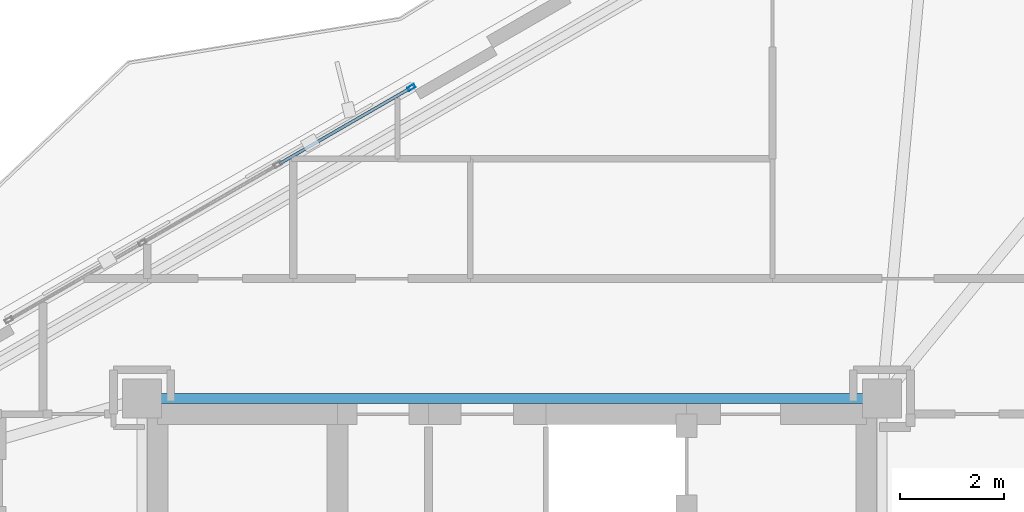
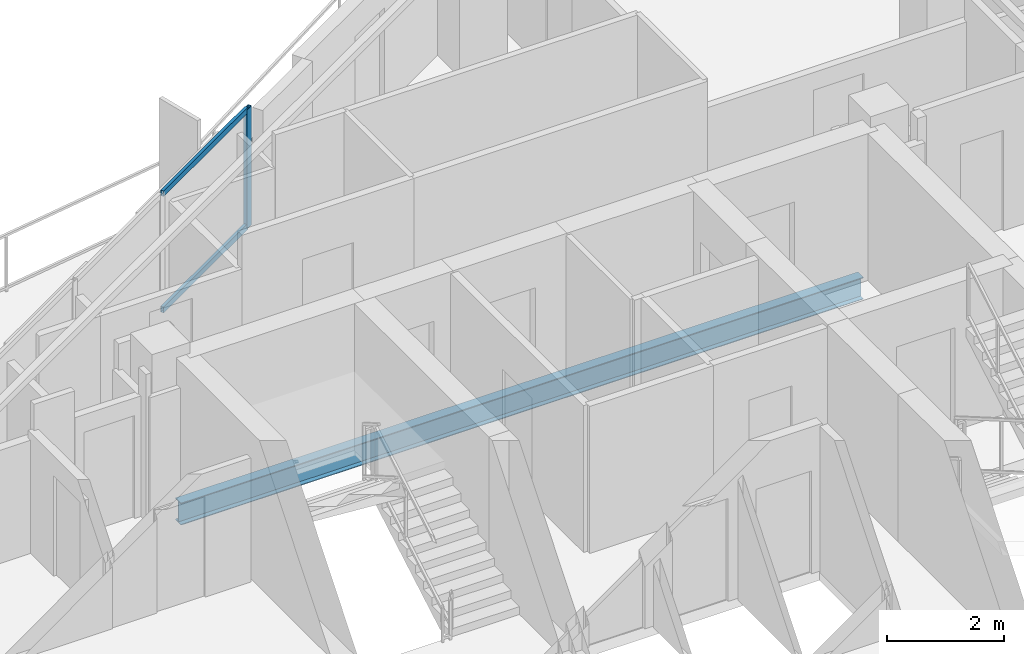
# One storey, part 14 of 21: 3 members, 1 beam, 1 element without a shape of its own.
"""IFC4 building model written with IfcOpenShell, lengths in metres."""

import ifcopenshell
import ifcopenshell.guid

model = None  # the IFC model being written
_history = None  # IfcOwnerHistory: only IFC2X3 demands one
_inside = {}  # id of a spatial element -> (the spatial element, [elements in it])
_under = {}  # id of a project, library or spatial element -> (it, [spatial elements below it])
_declared = {}  # id of a project -> (the project, [libraries it declares])
_typed = {}  # id of a type object -> (the type object, [elements of that type])
_made_of = {}  # id of a material, layer set ... -> (it, [elements and type objects made of it])


def new_model(schema):
    """Start an empty IFC model of exactly this schema.

    Asked for "IFC4X3", IfcOpenShell would pick the latest addendum, in which some entities
    have other attributes; the version numbers below select the first issue.
    IFC2X3 requires an IfcOwnerHistory on every rooted entity: one is made here for all.
    """
    global model, _history
    if schema == "IFC4X3":
        model = ifcopenshell.file(schema_version=(4, 3, 0, 0))
    else:
        model = ifcopenshell.file(schema=schema)
    _inside.clear()
    _under.clear()
    _declared.clear()
    _typed.clear()
    _made_of.clear()
    _history = None
    if model.schema == "IFC2X3":
        org = make("IfcOrganization", Name="unknown")
        user = make(
            "IfcPersonAndOrganization",
            ThePerson=make("IfcPerson", FamilyName="unknown"),
            TheOrganization=org,
        )
        app = make(
            "IfcApplication",
            ApplicationDeveloper=org,
            Version="unknown",
            ApplicationFullName="unknown",
            ApplicationIdentifier="unknown",
        )
        _history = make(
            "IfcOwnerHistory",
            OwningUser=user,
            OwningApplication=app,
            ChangeAction="ADDED",
            CreationDate=0,
        )
    return model


def make(cls, **values):
    """One entity of the class cls with the attributes given. An attribute that is None is left unset."""
    return model.create_entity(
        cls, **{name: value for name, value in values.items() if value is not None}
    )


def rooted(cls, **values):
    """An entity with a GlobalId (a new one), such as an element, a storey or a relation."""
    return make(cls, GlobalId=ifcopenshell.guid.new(), OwnerHistory=_history, **values)


def si_unit(unit_type, name, prefix=None):
    """IfcSIUnit, for example si_unit("LENGTHUNIT", "METRE", prefix="MILLI")."""
    return make("IfcSIUnit", UnitType=unit_type, Prefix=prefix, Name=name)


def assignment(units):
    """IfcUnitAssignment: the units of a project."""
    return None if units is None else make("IfcUnitAssignment", Units=units)


def point(xyz):
    """IfcCartesianPoint."""
    return None if xyz is None else make("IfcCartesianPoint", Coordinates=xyz)


def direction(xyz):
    """IfcDirection."""
    return None if xyz is None else make("IfcDirection", DirectionRatios=xyz)


def frame(location, z_axis=None, x_axis=None):
    """IfcAxis2Placement3D, a coordinate frame: its origin and axes. An axis left out is left unset."""
    return make(
        "IfcAxis2Placement3D",
        Location=point(location),
        Axis=direction(z_axis),
        RefDirection=direction(x_axis),
    )


def frame_2d(location, x_axis=None):
    """IfcAxis2Placement2D, a coordinate frame in the plane: its origin and x axis."""
    return make(
        "IfcAxis2Placement2D", Location=point(location), RefDirection=direction(x_axis)
    )


def origin():
    """The frame at (0, 0, 0) with its axes left unset."""
    return frame((0.0, 0.0, 0.0))


def origin_2d():
    """The frame at (0, 0) in the plane with its x axis left unset."""
    return frame_2d((0.0, 0.0))


def place(relative_to, where):
    """IfcLocalPlacement: puts the frame where relative to a parent placement (None: the world)."""
    return make(
        "IfcLocalPlacement", PlacementRelTo=relative_to, RelativePlacement=where
    )


def context(
    kind, dimensions, precision=None, world=None, true_north=None, identifier=None
):
    """IfcGeometricRepresentationContext, for example the 3D "Model" context."""
    return make(
        "IfcGeometricRepresentationContext",
        ContextIdentifier=identifier,
        ContextType=kind,
        CoordinateSpaceDimension=dimensions,
        Precision=precision,
        WorldCoordinateSystem=world,
        TrueNorth=true_north,
    )


def subcontext(parent, identifier, kind, view, scale=None):
    """IfcGeometricRepresentationSubContext, for example "Body" below "Model"."""
    return make(
        "IfcGeometricRepresentationSubContext",
        ContextIdentifier=identifier,
        ContextType=kind,
        ParentContext=parent,
        TargetScale=scale,
        TargetView=view,
    )


def project(units=None, contexts=None):
    """IfcProject with its units and contexts."""
    return rooted(
        "IfcProject",
        Name="project",
        RepresentationContexts=contexts,
        UnitsInContext=assignment(units),
    )


def spatial(cls, under=None, at=None, **own):
    """A site, building, storey or space (cls), placed at a placement, below another one or the project."""
    s = rooted(cls, ObjectPlacement=at, **own)
    if under is not None:
        _under.setdefault(under.id(), (under, []))[1].append(s)
    return s


def profile(cls, at=None, kind="AREA", **sizes):
    """A parametric profile (cls). Its sizes go by their IFC names, for example OverallWidth=200.0."""
    return make(cls, ProfileType=kind, Position=at, **sizes)


def hollow_rectangle(**sizes):
    """IfcRectangleHollowProfileDef."""
    return profile("IfcRectangleHollowProfileDef", **sizes)


def i_section(**sizes):
    """IfcIShapeProfileDef."""
    return profile("IfcIShapeProfileDef", **sizes)


def extrude(swept, where, along, depth):
    """IfcExtrudedAreaSolid: the profile swept, set in the frame where, extruded along a direction by depth."""
    return make(
        "IfcExtrudedAreaSolid",
        SweptArea=swept,
        Position=where,
        ExtrudedDirection=direction(along),
        Depth=depth,
    )


def shape(context_of_items, identifier, shape_type, items):
    """IfcShapeRepresentation: the items that make up one representation, for example the "Body"."""
    return make(
        "IfcShapeRepresentation",
        ContextOfItems=context_of_items,
        RepresentationIdentifier=identifier,
        RepresentationType=shape_type,
        Items=items,
    )


def material(Name=None, Category=None):
    """IfcMaterial."""
    return make("IfcMaterial", Name=Name, Category=Category)


def layer(
    of_material, thickness, ventilated=None, Name=None, Category=None, Priority=None
):
    """IfcMaterialLayer: one layer of a wall or slab, of a material (None: an air gap)."""
    return make(
        "IfcMaterialLayer",
        Material=of_material,
        LayerThickness=thickness,
        IsVentilated=ventilated,
        Name=Name,
        Category=Category,
        Priority=Priority,
    )


def layer_set(layers, Name=None):
    """IfcMaterialLayerSet."""
    return make("IfcMaterialLayerSet", MaterialLayers=layers, LayerSetName=Name)


def material_profile(
    of_material, cross_section, Name=None, Category=None, Priority=None
):
    """IfcMaterialProfile: a cross section and its material."""
    return make(
        "IfcMaterialProfile",
        Name=Name,
        Material=of_material,
        Profile=cross_section,
        Priority=Priority,
        Category=Category,
    )


def profile_set(profiles, Name=None, composite=None):
    """IfcMaterialProfileSet."""
    return make(
        "IfcMaterialProfileSet",
        Name=Name,
        MaterialProfiles=profiles,
        CompositeProfile=composite,
    )


def made_of(thing, what):
    """Note that an element or type object is made of a material, layer set ...; save() writes the relation."""
    if what is not None:
        _made_of.setdefault(what.id(), (what, []))[1].append(thing)
    return thing


def type_object(cls, material=None, **own):
    """A type object (cls), such as IfcWallType, which elements share."""
    return made_of(rooted(cls, **own), material)


def element(
    cls,
    number,
    at=None,
    inside=None,
    cuts=None,
    type_object=None,
    material=None,
    context=None,
    identifier="Body",
    shape_type=None,
    held_by="IfcProductDefinitionShape",
    body=None,
    shapes=None,
    **own,
):
    """One element of the class cls, such as IfcWall. Its Tag is "e" and its number.

    at: its placement. inside: the storey or other place that contains it. cuts: it is an
    opening in that element (IfcRelVoidsElement). A single representation is given by context,
    identifier, shape_type and body (its items); several are given by shapes. held_by: the class
    of the entity that holds the representations. save() writes the other relations.
    """
    e = rooted(cls, Tag="e%d" % number, ObjectPlacement=at, **own)
    if body is not None:
        shapes = [shape(context, identifier, shape_type, body)]
    if shapes is not None:
        e.Representation = make(held_by, Representations=shapes)
    if inside is not None:
        _inside.setdefault(inside.id(), (inside, []))[1].append(e)
    if cuts is not None:
        rooted(
            "IfcRelVoidsElement", RelatingBuildingElement=cuts, RelatedOpeningElement=e
        )
    if type_object is not None:
        _typed.setdefault(type_object.id(), (type_object, []))[1].append(e)
    return made_of(e, material)


def aggregate(whole, parts):
    """IfcRelAggregates: a whole, such as a stair, and the parts it consists of."""
    return rooted("IfcRelAggregates", RelatingObject=whole, RelatedObjects=parts)


def save(model, path):
    """Write the relations noted so far, then the file.

    IfcRelAggregates (storeys below a building ...), IfcRelContainedInSpatialStructure (elements
    in a storey), IfcRelDefinesByType, IfcRelAssociatesMaterial and IfcRelDeclares: one each for
    every whole, place, type object, material and project.
    """
    for whole, parts in _under.values():
        aggregate(whole, parts)
    for where, things in _inside.values():
        rooted(
            "IfcRelContainedInSpatialStructure",
            RelatedElements=things,
            RelatingStructure=where,
        )
    for kind, things in _typed.values():
        rooted("IfcRelDefinesByType", RelatedObjects=things, RelatingType=kind)
    for what, things in _made_of.values():
        rooted("IfcRelAssociatesMaterial", RelatedObjects=things, RelatingMaterial=what)
    for by, libraries in _declared.values():
        rooted("IfcRelDeclares", RelatingContext=by, RelatedDefinitions=libraries)
    model.write(path)


model = new_model("IFC4")

# Units and contexts
model_context = context("Model", 3, precision=1e-05, world=origin(), true_north=direction((0.0, 1.0)))
body_context = subcontext(model_context, "Body", "Model", "MODEL_VIEW")
ifc_project = project(units=[si_unit("LENGTHUNIT", "METRE"), si_unit("AREAUNIT", "SQUARE_METRE"), si_unit("VOLUMEUNIT", "CUBIC_METRE"), si_unit("PLANEANGLEUNIT", "RADIAN"), si_unit("MASSUNIT", "GRAM", prefix="KILO")], contexts=[model_context])

# Site, building, storey
site_placement = place(None, origin())
site = spatial("IfcSite", under=ifc_project, at=site_placement, CompositionType="ELEMENT")
building_placement = place(site_placement, origin())
building = spatial("IfcBuilding", under=site, at=building_placement, Name="Mersakhor Tower and Convention Hall", CompositionType="ELEMENT")
storey_placement = place(building_placement, frame((0.0, 0.0, 185.39990234375)))
storey = spatial("IfcBuildingStorey", under=building, at=storey_placement, Name="L51", CompositionType="ELEMENT", Elevation=185.39990234375)

# Beam
ifc_material_1 = material(Name="Steel S355", Category="steel")
ifc_material_profile_1 = material_profile(ifc_material_1, i_section(OverallWidth=0.19140625, OverallDepth=0.4599609375, WebThickness=0.010009765625, FlangeThickness=0.01611328125, at=origin_2d()), Name="UB 457x191x82")
ifc_profile_set_1 = profile_set([ifc_material_profile_1], Name="Steel S355")
beam_type = type_object("IfcBeamType", Name="BM-FB-457", PredefinedType="BEAM", material=ifc_profile_set_1)
beam_placement = place(storey_placement, frame((22.2548828125, 33.050048828125, -0.4599609375), z_axis=(1.0, 0.0, 0.0), x_axis=(0.0, 1.0, 0.0)))
element("IfcBeam", 1, at=beam_placement, inside=storey, type_object=beam_type, Name="L51 Core Ring Tie Beam CRB-2", PredefinedType="BEAM", context=body_context, shape_type="SweptSolid", body=[
    extrude(i_section(OverallWidth=0.19140625, OverallDepth=0.4599609375, WebThickness=0.010009765625, FlangeThickness=0.01611328125, at=origin_2d()), origin(), (0.0, 0.0, 1.0), 13.490234375),
])

# Curtain wall, members
ifc_material_2 = material(Name="Dark solar low-E aluminium curtain wall", Category="aluminium")
ifc_layer = layer(ifc_material_2, 0.169921875)
ifc_layer_set = layer_set([ifc_layer], Name="Dark solar low-E aluminium curtain wall")
curtain_wall_type = type_object("IfcCurtainWallType", Name="CW-SYS-02", PredefinedType="USERDEFINED", material=ifc_layer_set)
curtain_wall_placement = place(storey_placement, origin())
curtain_wall = element("IfcCurtainWall", 2, at=curtain_wall_placement, inside=storey, type_object=curtain_wall_type, Name="L51 Dark-Glass Curtain Wall F1-B2", ObjectType="CURTAIN WALL", PredefinedType="USERDEFINED")
ifc_material_3 = material(Name="Anodised aluminium EN AW-6063 T6", Category="aluminium")
ifc_material_profile_2 = material_profile(ifc_material_3, hollow_rectangle(XDim=0.074951171875, YDim=0.14990234375, WallThickness=0.00634765625, at=origin_2d()), Name="RHS 150x75x6.3")
ifc_profile_set_2 = profile_set([ifc_material_profile_2], Name="Anodised aluminium EN AW-6063 T6")
member_type_1 = type_object("IfcMemberType", Name="CWM-150x75", PredefinedType="MULLION", material=ifc_profile_set_2)
member_1_placement = place(storey_placement, frame((27.06982421875, 39.016845703125, 0.2001953125), z_axis=(0.0, 0.0, 1.0), x_axis=(-0.500007824483, 0.86602088627, 0.0)))
member_1 = element("IfcMember", 3, at=member_1_placement, type_object=member_type_1, Name="CW-02 mullion 4", PredefinedType="MULLION", context=body_context, shape_type="SweptSolid", body=[
    extrude(hollow_rectangle(XDim=0.074951171875, YDim=0.14990234375, WallThickness=0.00634765625, at=origin_2d()), origin(), (0.0, 0.0, 1.0), 2.489990234375),
])
ifc_material_4 = material(Name="Anodised aluminium EN AW-6063 T6", Category="aluminium")
ifc_material_profile_3 = material_profile(ifc_material_4, hollow_rectangle(XDim=0.06005859375, YDim=0.1201171875, WallThickness=0.0048828125, at=origin_2d()), Name="RHS 120x60x5")
ifc_profile_set_3 = profile_set([ifc_material_profile_3], Name="Anodised aluminium EN AW-6063 T6")
member_type_2 = type_object("IfcMemberType", Name="CWT-120x60", PredefinedType="USERDEFINED", material=ifc_profile_set_3)
member_2_placement = place(storey_placement, frame((24.537109375, 37.554443359375, 0.22998046875), z_axis=(0.86601237176, 0.50002257145, 0.0), x_axis=(-0.50002257145, 0.86601237176, 0.0)))
member_2 = element("IfcMember", 4, at=member_2_placement, type_object=member_type_2, Name="CW-02 transom 3.1", ObjectType="TRANSOM", PredefinedType="USERDEFINED", context=body_context, shape_type="SweptSolid", body=[
    extrude(hollow_rectangle(XDim=0.06005859375, YDim=0.1201171875, WallThickness=0.0048828125, at=origin_2d()), origin(), (0.0, 0.0, 1.0), 2.886962890625),
])
member_3_placement = place(storey_placement, frame((24.537109375, 37.554443359375, 2.66015625), z_axis=(0.86601237176, 0.50002257145, 0.0), x_axis=(-0.50002257145, 0.86601237176, 0.0)))
member_3 = element("IfcMember", 5, at=member_3_placement, type_object=member_type_2, Name="CW-02 transom 3.2", ObjectType="TRANSOM", PredefinedType="USERDEFINED", context=body_context, shape_type="SweptSolid", body=[
    extrude(hollow_rectangle(XDim=0.06005859375, YDim=0.1201171875, WallThickness=0.0048828125, at=origin_2d()), origin(), (0.0, 0.0, 1.0), 2.886962890625),
])
aggregate(curtain_wall, [member_1, member_2, member_3])

save(model, "model.ifc")
